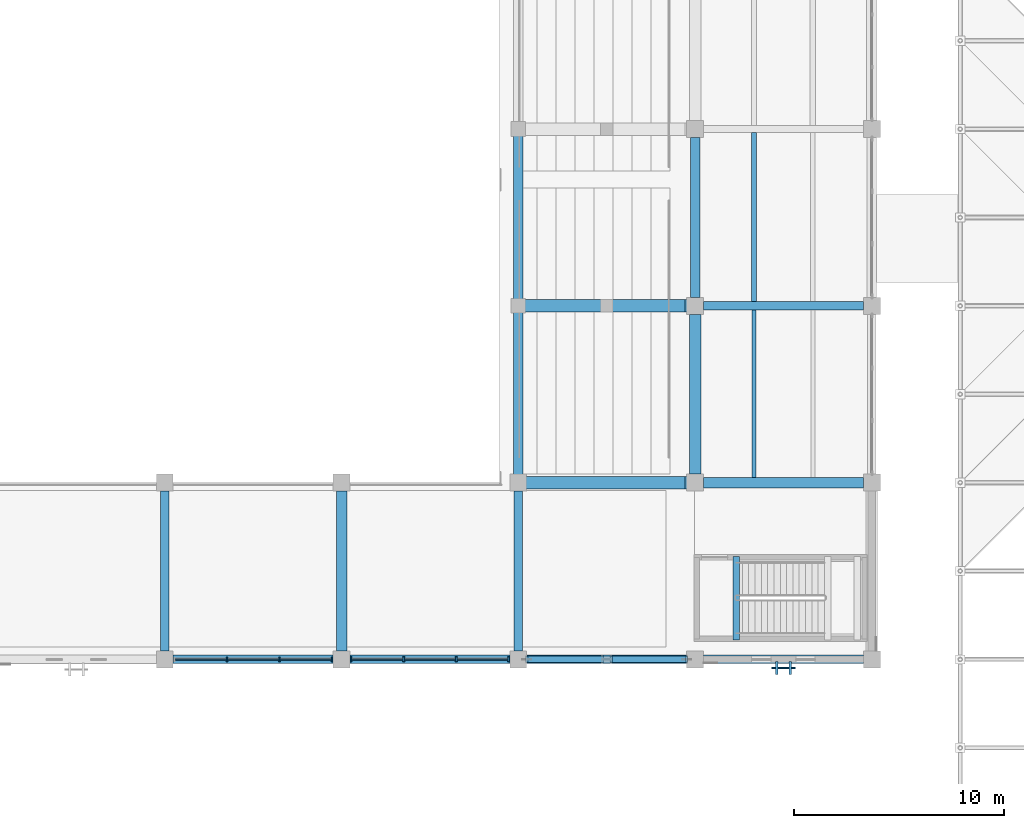
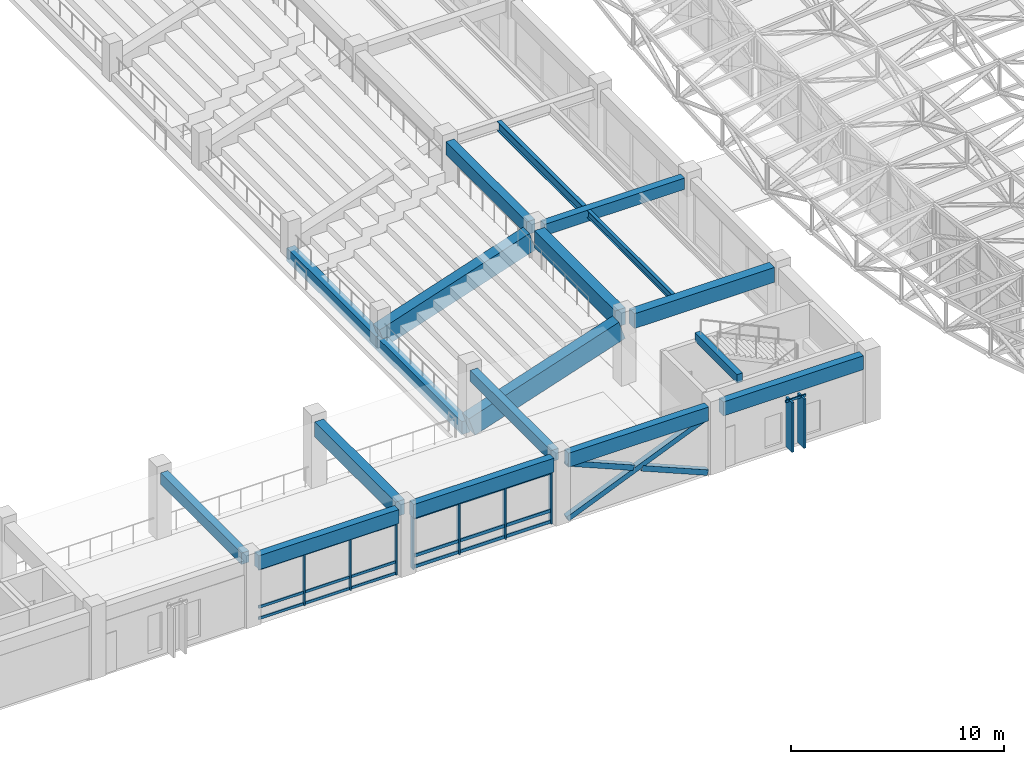
# One storey, part 10 of 132: 31 members, 18 beams, 3 elements without a shape of their own.
"""IFC4 building model written with IfcOpenShell, lengths in metres."""

from ifc_helpers import new_model, si_unit, direction, frame, origin, origin_2d, place, context, subcontext, project, spatial, rectangle, hollow_rectangle, i_section, extrude, material, material_profile, profile_set, type_object, element, aggregate, save


model = new_model("IFC4")

# Units and contexts
model_context = context("Model", 3, precision=1e-05, world=origin(), true_north=direction((0.0, 1.0)))
body_context = subcontext(model_context, "Body", "Model", "MODEL_VIEW")
ifc_project = project(units=[si_unit("LENGTHUNIT", "METRE"), si_unit("AREAUNIT", "SQUARE_METRE"), si_unit("VOLUMEUNIT", "CUBIC_METRE"), si_unit("PLANEANGLEUNIT", "RADIAN"), si_unit("MASSUNIT", "GRAM", prefix="KILO")], contexts=[model_context])

# Site, building, storey
site_placement = place(None, origin())
site = spatial("IfcSite", under=ifc_project, at=site_placement, CompositionType="ELEMENT")
building_placement = place(site_placement, origin())
building = spatial("IfcBuilding", under=site, at=building_placement, Name="Cumbredor Promenade Congress Hotel", CompositionType="ELEMENT")
storey_placement = place(building_placement, frame((0.0, 0.0, 7.56005859375)))
storey = spatial("IfcBuildingStorey", under=building, at=storey_placement, Name="L02", CompositionType="ELEMENT", Elevation=7.56005859375)

# Beams
ifc_material_1 = material(Name="Concrete C40/50", Category="concrete")
ifc_material_profile_1 = material_profile(ifc_material_1, rectangle(XDim=0.39990234375, YDim=0.64990234375, at=origin_2d()), Name="RC BEAM 400x650")
ifc_profile_set_1 = profile_set([ifc_material_profile_1], Name="Concrete C40/50")
beam_type_1 = type_object("IfcBeamType", Name="BM-RC-400x650", PredefinedType="BEAM", material=ifc_profile_set_1)
for number, where, z_axis, x_axis, name in (
    (1, (33.60009765625, 8.800048828125, 3.474853515625), (0.0, 1.0, 0.0), (-1.0, 0.0, 0.0), "L03 Y-Grid Beam 060"),
    (2, (50.39990234375, 8.800048828125, 3.474853515625), (0.0, 1.0, 0.0), (-1.0, 0.0, 0.0), "L03 Y-Grid Beam 080"),
):
    element("IfcBeam", number, at=place(storey_placement, frame(where, z_axis=z_axis, x_axis=x_axis)), inside=storey, type_object=beam_type_1, Name=name, PredefinedType="BEAM", context=body_context, shape_type="SweptSolid", body=[
        extrude(rectangle(XDim=0.39990234375, YDim=0.64990234375, at=origin_2d()), origin(), (0.0, 0.0, 1.0), 7.599853515625),
    ])
beam_1_placement = place(storey_placement, frame((59.199951171875, 25.199951171875, 3.474853515625), z_axis=(1.0, 0.0, 0.0), x_axis=(0.0, 1.0, 0.0)))
element("IfcBeam", 3, at=beam_1_placement, inside=storey, type_object=beam_type_1, Name="L03 X-Grid Beam 096", PredefinedType="BEAM", context=body_context, shape_type="SweptSolid", body=[
    extrude(rectangle(XDim=0.39990234375, YDim=0.64990234375, at=origin_2d()), origin(), (0.0, 0.0, 1.0), 7.60009765625),
])
ifc_material_profile_2 = material_profile(ifc_material_1, rectangle(XDim=0.449951171875, YDim=0.75, at=origin_2d()), Name="RC BEAM 450x750")
ifc_profile_set_2 = profile_set([ifc_material_profile_2], Name="Concrete C40/50")
beam_type_2 = type_object("IfcBeamType", Name="BM-RC-450x750", PredefinedType="BEAM", material=ifc_profile_set_2)
beam_2_placement = place(storey_placement, frame((58.800048828125, 25.60009765625, 3.425048828125), z_axis=(0.0, 1.0, 0.0), x_axis=(-1.0, 0.0, 0.0)))
element("IfcBeam", 4, at=beam_2_placement, inside=storey, type_object=beam_type_2, Name="L03 Y-Grid Beam 097", PredefinedType="BEAM", context=body_context, shape_type="SweptSolid", body=[
    extrude(rectangle(XDim=0.449951171875, YDim=0.75, at=origin_2d()), origin(), (0.0, 0.0, 1.0), 7.599853515625),
])
beam_3_placement = place(storey_placement, frame((50.39990234375, 17.14990234375, 0.030029296875), z_axis=(0.0, 1.0, 0.0), x_axis=(-1.0, 0.0, 0.0)))
element("IfcBeam", 5, at=beam_3_placement, inside=storey, type_object=beam_type_2, Name="L02 Balcony Front Cross Stringer 1", PredefinedType="BEAM", context=body_context, shape_type="SweptSolid", body=[
    extrude(rectangle(XDim=0.449951171875, YDim=0.75, at=origin_2d()), origin(), (0.0, 0.0, 1.0), 8.050048828125),
])
beam_4_placement = place(storey_placement, frame((50.39990234375, 25.199951171875, 0.030029296875), z_axis=(0.0, 1.0, 0.0), x_axis=(-1.0, 0.0, 0.0)))
element("IfcBeam", 6, at=beam_4_placement, inside=storey, type_object=beam_type_2, Name="L02 Balcony Front Cross Stringer 2", PredefinedType="BEAM", context=body_context, shape_type="SweptSolid", body=[
    extrude(rectangle(XDim=0.449951171875, YDim=0.75, at=origin_2d()), origin(), (0.0, 0.0, 1.0), 8.400146484375),
])
ifc_material_profile_3 = material_profile(ifc_material_1, rectangle(XDim=0.5, YDim=0.85009765625, at=origin_2d()), Name="RC BEAM 500x850")
ifc_profile_set_3 = profile_set([ifc_material_profile_3], Name="Concrete C40/50")
beam_type_3 = type_object("IfcBeamType", Name="BM-RC-500x850", PredefinedType="BEAM", material=ifc_profile_set_3)
beam_5_placement = place(storey_placement, frame((42.0, 8.800048828125, 3.375), z_axis=(0.0, 1.0, 0.0), x_axis=(-1.0, 0.0, 0.0)))
element("IfcBeam", 7, at=beam_5_placement, inside=storey, type_object=beam_type_3, Name="L03 Y-Grid Beam 070", PredefinedType="BEAM", context=body_context, shape_type="SweptSolid", body=[
    extrude(rectangle(XDim=0.5, YDim=0.85009765625, at=origin_2d()), origin(), (0.0, 0.0, 1.0), 7.599853515625),
])
beam_6_placement = place(storey_placement, frame((59.199951171875, 16.800048828125, 3.375), z_axis=(1.0, 0.0, 0.0), x_axis=(0.0, 1.0, 0.0)))
element("IfcBeam", 8, at=beam_6_placement, inside=storey, type_object=beam_type_3, Name="L03 X-Grid Beam 094", PredefinedType="BEAM", context=body_context, shape_type="SweptSolid", body=[
    extrude(rectangle(XDim=0.5, YDim=0.85009765625, at=origin_2d()), origin(), (0.0, 0.0, 1.0), 7.60009765625),
])
ifc_material_profile_4 = material_profile(ifc_material_1, rectangle(XDim=0.550048828125, YDim=0.949951171875, at=origin_2d()), Name="RC BEAM 550x950")
ifc_profile_set_4 = profile_set([ifc_material_profile_4], Name="Concrete C40/50")
beam_type_4 = type_object("IfcBeamType", Name="BM-RC-550x950", PredefinedType="BEAM", material=ifc_profile_set_4)
beam_7_placement = place(storey_placement, frame((58.800048828125, 17.199951171875, 3.324951171875), z_axis=(0.0, 1.0, 0.0), x_axis=(-1.0, 0.0, 0.0)))
element("IfcBeam", 9, at=beam_7_placement, inside=storey, type_object=beam_type_4, Name="L03 Y-Grid Beam 095", PredefinedType="BEAM", context=body_context, shape_type="SweptSolid", body=[
    extrude(rectangle(XDim=0.550048828125, YDim=0.949951171875, at=origin_2d()), origin(), (0.0, 0.0, 1.0), 7.60009765625),
])

# Curtain wall, members
ifc_material_2 = material(Name="Thermally broken anodized aluminium and low-E glass", Category="aluminium")
curtain_wall_type_1 = type_object("IfcCurtainWallType", Name="Unitised Bronze Curtain Wall CW-01", PredefinedType="NOTDEFINED", material=ifc_material_2)
curtain_wall_1_placement = place(storey_placement, origin())
curtain_wall_1 = element("IfcCurtainWall", 10, at=curtain_wall_1_placement, inside=storey, type_object=curtain_wall_type_1, Name="L02 Plenary Congress Hall South Curtain Wall 4", PredefinedType="NOTDEFINED")
ifc_material_3 = material(Name="Thermally broken anodized aluminium", Category="aluminium")
ifc_material_profile_5 = material_profile(ifc_material_3, rectangle(XDim=0.074951171875, YDim=0.199951171875, at=origin_2d()), Name="ALU MULLION 75x200")
ifc_profile_set_5 = profile_set([ifc_material_profile_5], Name="Thermally broken anodized aluminium")
member_type_1 = type_object("IfcMemberType", Name="Curtain Wall Mullion ML-02", PredefinedType="MULLION", material=ifc_profile_set_5)
member_1_placement = place(storey_placement, frame((36.5517578125, 8.39990234375, -0.008056640625), z_axis=(0.0, 0.0, 1.0), x_axis=(1.0, 0.0, 0.0)))
member_1 = element("IfcMember", 11, at=member_1_placement, type_object=member_type_1, Name="L02 Plenary Congress Hall South Curtain Wall 4 Mullion 2", PredefinedType="MULLION", context=body_context, shape_type="SweptSolid", body=[
    extrude(rectangle(XDim=0.074951171875, YDim=0.199951171875, at=origin_2d()), origin(), (0.0, 0.0, 1.0), 3.0009765625),
])
member_2_placement = place(storey_placement, frame((39.04833984375, 8.39990234375, -0.008056640625), z_axis=(0.0, 0.0, 1.0), x_axis=(1.0, 0.0, 0.0)))
member_2 = element("IfcMember", 12, at=member_2_placement, type_object=member_type_1, Name="L02 Plenary Congress Hall South Curtain Wall 4 Mullion 3", PredefinedType="MULLION", context=body_context, shape_type="SweptSolid", body=[
    extrude(rectangle(XDim=0.074951171875, YDim=0.199951171875, at=origin_2d()), origin(), (0.0, 0.0, 1.0), 3.0009765625),
])
member_3_placement = place(storey_placement, frame((41.544921875, 8.39990234375, -0.008056640625), z_axis=(0.0, 0.0, 1.0), x_axis=(1.0, 0.0, 0.0)))
member_3 = element("IfcMember", 13, at=member_3_placement, type_object=member_type_1, Name="L02 Plenary Congress Hall South Curtain Wall 4 Mullion 4", PredefinedType="MULLION", context=body_context, shape_type="SweptSolid", body=[
    extrude(rectangle(XDim=0.074951171875, YDim=0.199951171875, at=origin_2d()), origin(), (0.0, 0.0, 1.0), 3.0009765625),
])

curtain_wall_2_placement = place(storey_placement, origin())
curtain_wall_2 = element("IfcCurtainWall", 14, at=curtain_wall_2_placement, inside=storey, type_object=curtain_wall_type_1, Name="L02 Plenary Congress Hall South Curtain Wall 5", PredefinedType="NOTDEFINED")
ifc_material_profile_6 = material_profile(ifc_material_3, rectangle(XDim=0.080078125, YDim=0.239990234375, at=origin_2d()), Name="ALU MULLION 80x240")
ifc_profile_set_6 = profile_set([ifc_material_profile_6], Name="Thermally broken anodized aluminium")
member_type_2 = type_object("IfcMemberType", Name="Curtain Wall Mullion ML-03", PredefinedType="MULLION", material=ifc_profile_set_6)
member_4_placement = place(storey_placement, frame((42.455078125, 8.39990234375, -0.008056640625), z_axis=(0.0, 0.0, 1.0), x_axis=(1.0, 0.0, 0.0)))
member_4 = element("IfcMember", 15, at=member_4_placement, type_object=member_type_2, Name="L02 Plenary Congress Hall South Curtain Wall 5 Mullion 1", PredefinedType="MULLION", context=body_context, shape_type="SweptSolid", body=[
    extrude(rectangle(XDim=0.080078125, YDim=0.239990234375, at=origin_2d()), origin(), (0.0, 0.0, 1.0), 3.0009765625),
])
member_5_placement = place(storey_placement, frame((44.95166015625, 8.39990234375, -0.008056640625), z_axis=(0.0, 0.0, 1.0), x_axis=(1.0, 0.0, 0.0)))
member_5 = element("IfcMember", 16, at=member_5_placement, type_object=member_type_2, Name="L02 Plenary Congress Hall South Curtain Wall 5 Mullion 2", PredefinedType="MULLION", context=body_context, shape_type="SweptSolid", body=[
    extrude(rectangle(XDim=0.080078125, YDim=0.239990234375, at=origin_2d()), origin(), (0.0, 0.0, 1.0), 3.0009765625),
])
member_6_placement = place(storey_placement, frame((47.4482421875, 8.39990234375, -0.008056640625), z_axis=(0.0, 0.0, 1.0), x_axis=(1.0, 0.0, 0.0)))
member_6 = element("IfcMember", 17, at=member_6_placement, type_object=member_type_2, Name="L02 Plenary Congress Hall South Curtain Wall 5 Mullion 3", PredefinedType="MULLION", context=body_context, shape_type="SweptSolid", body=[
    extrude(rectangle(XDim=0.080078125, YDim=0.239990234375, at=origin_2d()), origin(), (0.0, 0.0, 1.0), 3.0009765625),
])
member_7_placement = place(storey_placement, frame((49.945068359375, 8.39990234375, -0.008056640625), z_axis=(0.0, 0.0, 1.0), x_axis=(1.0, 0.0, 0.0)))
member_7 = element("IfcMember", 18, at=member_7_placement, type_object=member_type_2, Name="L02 Plenary Congress Hall South Curtain Wall 5 Mullion 4", PredefinedType="MULLION", context=body_context, shape_type="SweptSolid", body=[
    extrude(rectangle(XDim=0.080078125, YDim=0.239990234375, at=origin_2d()), origin(), (0.0, 0.0, 1.0), 3.0009765625),
])

# Curtain wall, member
curtain_wall_type_2 = type_object("IfcCurtainWallType", Name="Solar Brise-Soleil Screen Assembly CW-07", PredefinedType="NOTDEFINED", material=ifc_material_2)
curtain_wall_3_placement = place(storey_placement, origin())
curtain_wall_3 = element("IfcCurtainWall", 19, at=curtain_wall_3_placement, inside=storey, type_object=curtain_wall_type_2, Name="L02 Pier Brise-Soleil Screen 0358", PredefinedType="NOTDEFINED")
ifc_material_profile_7 = material_profile(ifc_material_3, rectangle(XDim=0.06494140625, YDim=0.1298828125, at=origin_2d()), Name="ALU TRANSOM 65x130")
ifc_profile_set_7 = profile_set([ifc_material_profile_7], Name="Thermally broken anodized aluminium")
member_type_3 = type_object("IfcMemberType", Name="Curtain Wall Transom TR-01", PredefinedType="USERDEFINED", material=ifc_profile_set_7)
member_8_placement = place(storey_placement, frame((62.449951171875, 7.989990234375, 2.824951171875), z_axis=(1.0, 0.0, 0.0), x_axis=(0.0, 1.0, 0.0)))
member_8 = element("IfcMember", 20, at=member_8_placement, type_object=member_type_3, Name="L02 Pier Brise-Soleil Header 0360", ObjectType="TRANSOM", PredefinedType="USERDEFINED", context=body_context, shape_type="SweptSolid", body=[
    extrude(rectangle(XDim=0.06494140625, YDim=0.1298828125, at=origin_2d()), origin(), (0.0, 0.0, 1.0), 1.10009765625),
])

# Member
ifc_material_profile_8 = material_profile(ifc_material_3, rectangle(XDim=0.074951171875, YDim=0.14990234375, at=origin_2d()), Name="ALU TRANSOM 75x150")
ifc_profile_set_8 = profile_set([ifc_material_profile_8], Name="Thermally broken anodized aluminium")
member_type_4 = type_object("IfcMemberType", Name="Curtain Wall Transom TR-02", PredefinedType="USERDEFINED", material=ifc_profile_set_8)
member_9_placement = place(storey_placement, frame((34.092529296875, 8.39990234375, 0.06982421875), z_axis=(1.0, 0.0, 0.0), x_axis=(0.0, 1.0, 0.0)))
member_9 = element("IfcMember", 21, at=member_9_placement, type_object=member_type_4, Name="L02 Plenary Congress Hall South Curtain Wall 4 Transom 1.1", ObjectType="TRANSOM", PredefinedType="USERDEFINED", context=body_context, shape_type="SweptSolid", body=[
    extrude(rectangle(XDim=0.074951171875, YDim=0.14990234375, at=origin_2d()), origin(), (0.0, 0.0, 1.0), 2.421630859375),
])

member_10_placement = place(storey_placement, frame((34.092529296875, 8.39990234375, 0.719970703125), z_axis=(1.0, 0.0, 0.0), x_axis=(0.0, 1.0, 0.0)))
member_10 = element("IfcMember", 22, at=member_10_placement, type_object=member_type_4, Name="L02 Plenary Congress Hall South Curtain Wall 4 Transom 1.2", ObjectType="TRANSOM", PredefinedType="USERDEFINED", context=body_context, shape_type="SweptSolid", body=[
    extrude(rectangle(XDim=0.074951171875, YDim=0.14990234375, at=origin_2d()), origin(), (0.0, 0.0, 1.0), 2.421630859375),
])

member_11_placement = place(storey_placement, frame((34.092529296875, 8.39990234375, 2.909912109375), z_axis=(1.0, 0.0, 0.0), x_axis=(0.0, 1.0, 0.0)))
member_11 = element("IfcMember", 23, at=member_11_placement, type_object=member_type_4, Name="L02 Plenary Congress Hall South Curtain Wall 4 Transom 1.3", ObjectType="TRANSOM", PredefinedType="USERDEFINED", context=body_context, shape_type="SweptSolid", body=[
    extrude(rectangle(XDim=0.074951171875, YDim=0.14990234375, at=origin_2d()), origin(), (0.0, 0.0, 1.0), 2.421630859375),
])

member_12_placement = place(storey_placement, frame((36.589111328125, 8.39990234375, 0.06982421875), z_axis=(1.0, 0.0, 0.0), x_axis=(0.0, 1.0, 0.0)))
member_12 = element("IfcMember", 24, at=member_12_placement, type_object=member_type_4, Name="L02 Plenary Congress Hall South Curtain Wall 4 Transom 2.1", ObjectType="TRANSOM", PredefinedType="USERDEFINED", context=body_context, shape_type="SweptSolid", body=[
    extrude(rectangle(XDim=0.074951171875, YDim=0.14990234375, at=origin_2d()), origin(), (0.0, 0.0, 1.0), 2.421630859375),
])

member_13_placement = place(storey_placement, frame((36.589111328125, 8.39990234375, 0.719970703125), z_axis=(1.0, 0.0, 0.0), x_axis=(0.0, 1.0, 0.0)))
member_13 = element("IfcMember", 25, at=member_13_placement, type_object=member_type_4, Name="L02 Plenary Congress Hall South Curtain Wall 4 Transom 2.2", ObjectType="TRANSOM", PredefinedType="USERDEFINED", context=body_context, shape_type="SweptSolid", body=[
    extrude(rectangle(XDim=0.074951171875, YDim=0.14990234375, at=origin_2d()), origin(), (0.0, 0.0, 1.0), 2.421630859375),
])

member_14_placement = place(storey_placement, frame((36.589111328125, 8.39990234375, 2.909912109375), z_axis=(1.0, 0.0, 0.0), x_axis=(0.0, 1.0, 0.0)))
member_14 = element("IfcMember", 26, at=member_14_placement, type_object=member_type_4, Name="L02 Plenary Congress Hall South Curtain Wall 4 Transom 2.3", ObjectType="TRANSOM", PredefinedType="USERDEFINED", context=body_context, shape_type="SweptSolid", body=[
    extrude(rectangle(XDim=0.074951171875, YDim=0.14990234375, at=origin_2d()), origin(), (0.0, 0.0, 1.0), 2.421630859375),
])

member_15_placement = place(storey_placement, frame((39.085693359375, 8.39990234375, 0.06982421875), z_axis=(1.0, 0.0, 0.0), x_axis=(0.0, 1.0, 0.0)))
member_15 = element("IfcMember", 27, at=member_15_placement, type_object=member_type_4, Name="L02 Plenary Congress Hall South Curtain Wall 4 Transom 3.1", ObjectType="TRANSOM", PredefinedType="USERDEFINED", context=body_context, shape_type="SweptSolid", body=[
    extrude(rectangle(XDim=0.074951171875, YDim=0.14990234375, at=origin_2d()), origin(), (0.0, 0.0, 1.0), 2.421875),
])

member_16_placement = place(storey_placement, frame((39.085693359375, 8.39990234375, 0.719970703125), z_axis=(1.0, 0.0, 0.0), x_axis=(0.0, 1.0, 0.0)))
member_16 = element("IfcMember", 28, at=member_16_placement, type_object=member_type_4, Name="L02 Plenary Congress Hall South Curtain Wall 4 Transom 3.2", ObjectType="TRANSOM", PredefinedType="USERDEFINED", context=body_context, shape_type="SweptSolid", body=[
    extrude(rectangle(XDim=0.074951171875, YDim=0.14990234375, at=origin_2d()), origin(), (0.0, 0.0, 1.0), 2.421875),
])

member_17_placement = place(storey_placement, frame((39.085693359375, 8.39990234375, 2.909912109375), z_axis=(1.0, 0.0, 0.0), x_axis=(0.0, 1.0, 0.0)))
member_17 = element("IfcMember", 29, at=member_17_placement, type_object=member_type_4, Name="L02 Plenary Congress Hall South Curtain Wall 4 Transom 3.3", ObjectType="TRANSOM", PredefinedType="USERDEFINED", context=body_context, shape_type="SweptSolid", body=[
    extrude(rectangle(XDim=0.074951171875, YDim=0.14990234375, at=origin_2d()), origin(), (0.0, 0.0, 1.0), 2.421875),
])

aggregate(curtain_wall_1, [member_1, member_2, member_3, member_9, member_10, member_11, member_12, member_13, member_14, member_15, member_16, member_17])

ifc_material_profile_9 = material_profile(ifc_material_3, rectangle(XDim=0.080078125, YDim=0.179931640625, at=origin_2d()), Name="ALU TRANSOM 80x180")
ifc_profile_set_9 = profile_set([ifc_material_profile_9], Name="Thermally broken anodized aluminium")
member_type_5 = type_object("IfcMemberType", Name="Curtain Wall Transom TR-03", PredefinedType="USERDEFINED", material=ifc_profile_set_9)
member_18_placement = place(storey_placement, frame((42.4951171875, 8.39990234375, 0.08984375), z_axis=(1.0, 0.0, 0.0), x_axis=(0.0, 1.0, 0.0)))
member_18 = element("IfcMember", 30, at=member_18_placement, type_object=member_type_5, Name="L02 Plenary Congress Hall South Curtain Wall 5 Transom 1.1", ObjectType="TRANSOM", PredefinedType="USERDEFINED", context=body_context, shape_type="SweptSolid", body=[
    extrude(rectangle(XDim=0.080078125, YDim=0.179931640625, at=origin_2d()), origin(), (0.0, 0.0, 1.0), 2.41650390625),
])

member_19_placement = place(storey_placement, frame((42.4951171875, 8.39990234375, 0.719970703125), z_axis=(1.0, 0.0, 0.0), x_axis=(0.0, 1.0, 0.0)))
member_19 = element("IfcMember", 31, at=member_19_placement, type_object=member_type_5, Name="L02 Plenary Congress Hall South Curtain Wall 5 Transom 1.2", ObjectType="TRANSOM", PredefinedType="USERDEFINED", context=body_context, shape_type="SweptSolid", body=[
    extrude(rectangle(XDim=0.080078125, YDim=0.179931640625, at=origin_2d()), origin(), (0.0, 0.0, 1.0), 2.41650390625),
])

member_20_placement = place(storey_placement, frame((42.4951171875, 8.39990234375, 2.89990234375), z_axis=(1.0, 0.0, 0.0), x_axis=(0.0, 1.0, 0.0)))
member_20 = element("IfcMember", 32, at=member_20_placement, type_object=member_type_5, Name="L02 Plenary Congress Hall South Curtain Wall 5 Transom 1.3", ObjectType="TRANSOM", PredefinedType="USERDEFINED", context=body_context, shape_type="SweptSolid", body=[
    extrude(rectangle(XDim=0.080078125, YDim=0.179931640625, at=origin_2d()), origin(), (0.0, 0.0, 1.0), 2.41650390625),
])

member_21_placement = place(storey_placement, frame((44.99169921875, 8.39990234375, 0.08984375), z_axis=(1.0, 0.0, 0.0), x_axis=(0.0, 1.0, 0.0)))
member_21 = element("IfcMember", 33, at=member_21_placement, type_object=member_type_5, Name="L02 Plenary Congress Hall South Curtain Wall 5 Transom 2.1", ObjectType="TRANSOM", PredefinedType="USERDEFINED", context=body_context, shape_type="SweptSolid", body=[
    extrude(rectangle(XDim=0.080078125, YDim=0.179931640625, at=origin_2d()), origin(), (0.0, 0.0, 1.0), 2.41650390625),
])

member_22_placement = place(storey_placement, frame((44.99169921875, 8.39990234375, 0.719970703125), z_axis=(1.0, 0.0, 0.0), x_axis=(0.0, 1.0, 0.0)))
member_22 = element("IfcMember", 34, at=member_22_placement, type_object=member_type_5, Name="L02 Plenary Congress Hall South Curtain Wall 5 Transom 2.2", ObjectType="TRANSOM", PredefinedType="USERDEFINED", context=body_context, shape_type="SweptSolid", body=[
    extrude(rectangle(XDim=0.080078125, YDim=0.179931640625, at=origin_2d()), origin(), (0.0, 0.0, 1.0), 2.41650390625),
])

member_23_placement = place(storey_placement, frame((44.99169921875, 8.39990234375, 2.89990234375), z_axis=(1.0, 0.0, 0.0), x_axis=(0.0, 1.0, 0.0)))
member_23 = element("IfcMember", 35, at=member_23_placement, type_object=member_type_5, Name="L02 Plenary Congress Hall South Curtain Wall 5 Transom 2.3", ObjectType="TRANSOM", PredefinedType="USERDEFINED", context=body_context, shape_type="SweptSolid", body=[
    extrude(rectangle(XDim=0.080078125, YDim=0.179931640625, at=origin_2d()), origin(), (0.0, 0.0, 1.0), 2.41650390625),
])

member_24_placement = place(storey_placement, frame((47.48828125, 8.39990234375, 0.08984375), z_axis=(1.0, 0.0, 0.0), x_axis=(0.0, 1.0, 0.0)))
member_24 = element("IfcMember", 36, at=member_24_placement, type_object=member_type_5, Name="L02 Plenary Congress Hall South Curtain Wall 5 Transom 3.1", ObjectType="TRANSOM", PredefinedType="USERDEFINED", context=body_context, shape_type="SweptSolid", body=[
    extrude(rectangle(XDim=0.080078125, YDim=0.179931640625, at=origin_2d()), origin(), (0.0, 0.0, 1.0), 2.416748046875),
])

member_25_placement = place(storey_placement, frame((47.48828125, 8.39990234375, 0.719970703125), z_axis=(1.0, 0.0, 0.0), x_axis=(0.0, 1.0, 0.0)))
member_25 = element("IfcMember", 37, at=member_25_placement, type_object=member_type_5, Name="L02 Plenary Congress Hall South Curtain Wall 5 Transom 3.2", ObjectType="TRANSOM", PredefinedType="USERDEFINED", context=body_context, shape_type="SweptSolid", body=[
    extrude(rectangle(XDim=0.080078125, YDim=0.179931640625, at=origin_2d()), origin(), (0.0, 0.0, 1.0), 2.416748046875),
])

member_26_placement = place(storey_placement, frame((47.48828125, 8.39990234375, 2.89990234375), z_axis=(1.0, 0.0, 0.0), x_axis=(0.0, 1.0, 0.0)))
member_26 = element("IfcMember", 38, at=member_26_placement, type_object=member_type_5, Name="L02 Plenary Congress Hall South Curtain Wall 5 Transom 3.3", ObjectType="TRANSOM", PredefinedType="USERDEFINED", context=body_context, shape_type="SweptSolid", body=[
    extrude(rectangle(XDim=0.080078125, YDim=0.179931640625, at=origin_2d()), origin(), (0.0, 0.0, 1.0), 2.416748046875),
])

aggregate(curtain_wall_2, [member_4, member_5, member_6, member_7, member_18, member_19, member_20, member_21, member_22, member_23, member_24, member_25, member_26])

# Beams
ifc_material_4 = material(Name="Steel ASTM A992 Grade 50", Category="steel")
ifc_material_profile_10 = material_profile(ifc_material_4, i_section(OverallWidth=0.180908203125, OverallDepth=0.4169921875, WebThickness=0.010986328125, FlangeThickness=0.018310546875, at=origin_2d()), Name="W16X57")
ifc_profile_set_10 = profile_set([ifc_material_profile_10], Name="Steel ASTM A992 Grade 50")
beam_type_5 = type_object("IfcBeamType", Name="JST-W16X57", PredefinedType="JOIST", material=ifc_profile_set_10)
beam_8_placement = place(storey_placement, frame((61.60009765625, 17.050048828125, 3.591552734375), z_axis=(0.0, 1.0, 0.0), x_axis=(-1.0, 0.0, 0.0)))
element("IfcBeam", 39, at=beam_8_placement, inside=storey, type_object=beam_type_5, Name="L03 Secondary Floor Joist 0048", PredefinedType="JOIST", context=body_context, shape_type="SweptSolid", body=[
    extrude(i_section(OverallWidth=0.180908203125, OverallDepth=0.4169921875, WebThickness=0.010986328125, FlangeThickness=0.018310546875, at=origin_2d()), origin(), (0.0, 0.0, 1.0), 7.949951171875),
])
ifc_material_profile_11 = material_profile(ifc_material_4, i_section(OverallWidth=0.214111328125, OverallDepth=0.549072265625, WebThickness=0.0146484375, FlangeThickness=0.023681640625, at=origin_2d()), Name="W21X93")
ifc_profile_set_11 = profile_set([ifc_material_profile_11], Name="Steel ASTM A992 Grade 50")
beam_type_6 = type_object("IfcBeamType", Name="JST-W21X93", PredefinedType="JOIST", material=ifc_profile_set_11)
beam_9_placement = place(storey_placement, frame((61.60009765625, 25.39990234375, 3.525390625), z_axis=(0.0, 1.0, 0.0), x_axis=(-1.0, 0.0, 0.0)))
element("IfcBeam", 40, at=beam_9_placement, inside=storey, type_object=beam_type_6, Name="L03 Secondary Floor Joist 0050", PredefinedType="JOIST", context=body_context, shape_type="SweptSolid", body=[
    extrude(i_section(OverallWidth=0.214111328125, OverallDepth=0.549072265625, WebThickness=0.0146484375, FlangeThickness=0.023681640625, at=origin_2d()), origin(), (0.0, 0.0, 1.0), 8.0380859375),
])
ifc_material_profile_12 = material_profile(ifc_material_1, rectangle(XDim=0.300048828125, YDim=0.5, at=origin_2d()), Name="RC LINTEL 300x500")
ifc_profile_set_12 = profile_set([ifc_material_profile_12], Name="Concrete C40/50")
beam_type_7 = type_object("IfcBeamType", Name="LN-RC-300x500", PredefinedType="LINTEL", material=ifc_profile_set_12)
beam_10_placement = place(storey_placement, frame((60.75, 9.330078125, 3.949951171875), z_axis=(0.0, 1.0, 0.0), x_axis=(-1.0, 0.0, 0.0)))
element("IfcBeam", 41, at=beam_10_placement, inside=storey, type_object=beam_type_7, Name="L03 Stair ST-05 Well Header Trimmer Beam", PredefinedType="LINTEL", context=body_context, shape_type="SweptSolid", body=[
    extrude(rectangle(XDim=0.300048828125, YDim=0.5, at=origin_2d()), origin(), (0.0, 0.0, 1.0), 3.969970703125),
])
ifc_material_5 = material(Name="Concrete C50/60", Category="concrete")
ifc_material_profile_13 = material_profile(ifc_material_5, rectangle(XDim=0.60009765625, YDim=1.10009765625, at=origin_2d()), Name="RC RAKER 600x1100")
ifc_profile_set_13 = profile_set([ifc_material_profile_13], Name="Concrete C50/60")
beam_type_8 = type_object("IfcBeamType", Name="RK-RC-600x1100", PredefinedType="USERDEFINED", material=ifc_profile_set_13)
for number, where, z_axis, x_axis, name in (
    (42, (50.35009765625, 16.800048828125, 0.429931640625), (0.949264632756, 0.0, 0.314478388762), (0.0, 1.0, 0.0), "Plenary Hall Upper Raker Beam Y16"),
    (43, (50.35009765625, 25.199951171875, 0.429931640625), (0.949264632756, 0.0, 0.314478388762), (0.0, 1.0, 0.0), "Plenary Hall Upper Raker Beam Y25"),
):
    element("IfcBeam", number, at=place(storey_placement, frame(where, z_axis=z_axis, x_axis=x_axis)), inside=storey, type_object=beam_type_8, Name=name, ObjectType="RAKER BEAM", PredefinedType="USERDEFINED", context=body_context, shape_type="SweptSolid", body=[
        extrude(rectangle(XDim=0.60009765625, YDim=1.10009765625, at=origin_2d()), origin(), (0.0, 0.0, 1.0), 8.58544921875),
    ])
ifc_material_profile_14 = material_profile(ifc_material_1, rectangle(XDim=0.39990234375, YDim=0.800048828125, at=origin_2d()), Name="RC SPANDREL 400x800")
ifc_profile_set_14 = profile_set([ifc_material_profile_14], Name="Concrete C40/50")
beam_type_9 = type_object("IfcBeamType", Name="SP-RC-400x800", PredefinedType="SPANDREL", material=ifc_profile_set_14)
for number, where, z_axis, x_axis, name in (
    (44, (34.0, 8.39990234375, 3.39990234375), (1.0, 0.0, 0.0), (0.0, 1.0, 0.0), "L03 X-Grid Beam 059"),
    (45, (42.39990234375, 8.39990234375, 3.39990234375), (1.0, 0.0, 0.0), (0.0, 1.0, 0.0), "L03 X-Grid Beam 069"),
):
    element("IfcBeam", number, at=place(storey_placement, frame(where, z_axis=z_axis, x_axis=x_axis)), inside=storey, type_object=beam_type_9, Name=name, PredefinedType="SPANDREL", context=body_context, shape_type="SweptSolid", body=[
        extrude(rectangle(XDim=0.39990234375, YDim=0.800048828125, at=origin_2d()), origin(), (0.0, 0.0, 1.0), 7.60009765625),
    ])
beam_11_placement = place(storey_placement, frame((50.800048828125, 8.39990234375, 3.39990234375), z_axis=(1.0, 0.0, 0.0), x_axis=(0.0, 1.0, 0.0)))
element("IfcBeam", 46, at=beam_11_placement, inside=storey, type_object=beam_type_9, Name="L03 X-Grid Beam 079", PredefinedType="SPANDREL", context=body_context, shape_type="SweptSolid", body=[
    extrude(rectangle(XDim=0.39990234375, YDim=0.800048828125, at=origin_2d()), origin(), (0.0, 0.0, 1.0), 7.599853515625),
])
beam_12_placement = place(storey_placement, frame((59.199951171875, 8.39990234375, 3.39990234375), z_axis=(1.0, 0.0, 0.0), x_axis=(0.0, 1.0, 0.0)))
element("IfcBeam", 47, at=beam_12_placement, inside=storey, type_object=beam_type_9, Name="L03 X-Grid Beam 093", PredefinedType="SPANDREL", context=body_context, shape_type="SweptSolid", body=[
    extrude(rectangle(XDim=0.39990234375, YDim=0.800048828125, at=origin_2d()), origin(), (0.0, 0.0, 1.0), 7.60009765625),
])

# Members
ifc_material_6 = material(Name="Steel ASTM A500 Grade C", Category="steel")
ifc_material_profile_15 = material_profile(ifc_material_6, hollow_rectangle(XDim=0.300048828125, YDim=0.300048828125, WallThickness=0.01611328125, at=origin_2d()), Name="HSS 300x300x16")
ifc_profile_set_15 = profile_set([ifc_material_profile_15], Name="Steel ASTM A500 Grade C")
member_type_6 = type_object("IfcMemberType", Name="Seismic Frame Brace CBF-1", PredefinedType="BRACE", material=ifc_profile_set_15)
member_27_placement = place(storey_placement, frame((50.800048828125, 8.39990234375, 0.0), z_axis=(0.922068588483, 0.0, 0.387026508308), x_axis=(0.0, 1.0, 0.0)))
element("IfcMember", 48, at=member_27_placement, inside=storey, type_object=member_type_6, Name="L02 X-Brace Continuous Diagonal 18A", PredefinedType="BRACE", context=body_context, shape_type="SweptSolid", body=[
    extrude(hollow_rectangle(XDim=0.300048828125, YDim=0.300048828125, WallThickness=0.01611328125, at=origin_2d()), origin(), (0.0, 0.0, 1.0), 8.2421875),
])
for number, where, z_axis, x_axis, name in (
    (49, (58.39990234375, 8.39990234375, 0.0), (-0.92207999686, 0.0, 0.386999327377), (0.0, -1.0, 0.0), "L02 X-Brace Lower Split Diagonal 18B1"),
    (50, (54.378662109375, 8.39990234375, 1.687744140625), (-0.922057548112, 0.0, 0.387052810311), (0.0, -1.0, 0.0), "L02 X-Brace Upper Split Diagonal 18B2"),
):
    element("IfcMember", number, at=place(storey_placement, frame(where, z_axis=z_axis, x_axis=x_axis)), inside=storey, type_object=member_type_6, Name=name, PredefinedType="BRACE", context=body_context, shape_type="SweptSolid", body=[
        extrude(hollow_rectangle(XDim=0.300048828125, YDim=0.300048828125, WallThickness=0.01611328125, at=origin_2d()), origin(), (0.0, 0.0, 1.0), 3.881103515625),
    ])

# Member
ifc_material_profile_16 = material_profile(ifc_material_3, rectangle(XDim=0.110107421875, YDim=0.6201171875, at=origin_2d()), Name="ARCH FIN 110x620")
ifc_profile_set_16 = profile_set([ifc_material_profile_16], Name="Thermally broken anodized aluminium")
member_type_7 = type_object("IfcMemberType", Name="Vertical Bronze Brise-Soleil Fin BSF-02 110x620", PredefinedType="USERDEFINED", material=ifc_profile_set_16)
member_28_placement = place(storey_placement, frame((62.679931640625, 7.989990234375, 0.02001953125), z_axis=(0.0, 0.0, 1.0), x_axis=(1.0, 0.0, 0.0)))
member_28 = element("IfcMember", 51, at=member_28_placement, type_object=member_type_7, Name="L02 Pier Brise-Soleil Fin 0359", ObjectType="SOLAR FIN", PredefinedType="USERDEFINED", context=body_context, shape_type="SweptSolid", body=[
    extrude(rectangle(XDim=0.110107421875, YDim=0.6201171875, at=origin_2d()), origin(), (0.0, 0.0, 1.0), 2.844970703125),
])

member_29_placement = place(storey_placement, frame((63.320068359375, 7.989990234375, 0.02001953125), z_axis=(0.0, 0.0, 1.0), x_axis=(1.0, 0.0, 0.0)))
member_29 = element("IfcMember", 52, at=member_29_placement, type_object=member_type_7, Name="L02 Pier Brise-Soleil Fin 0360", ObjectType="SOLAR FIN", PredefinedType="USERDEFINED", context=body_context, shape_type="SweptSolid", body=[
    extrude(rectangle(XDim=0.110107421875, YDim=0.6201171875, at=origin_2d()), origin(), (0.0, 0.0, 1.0), 2.844970703125),
])

aggregate(curtain_wall_3, [member_28, member_29, member_8])

save(model, "model.ifc")
